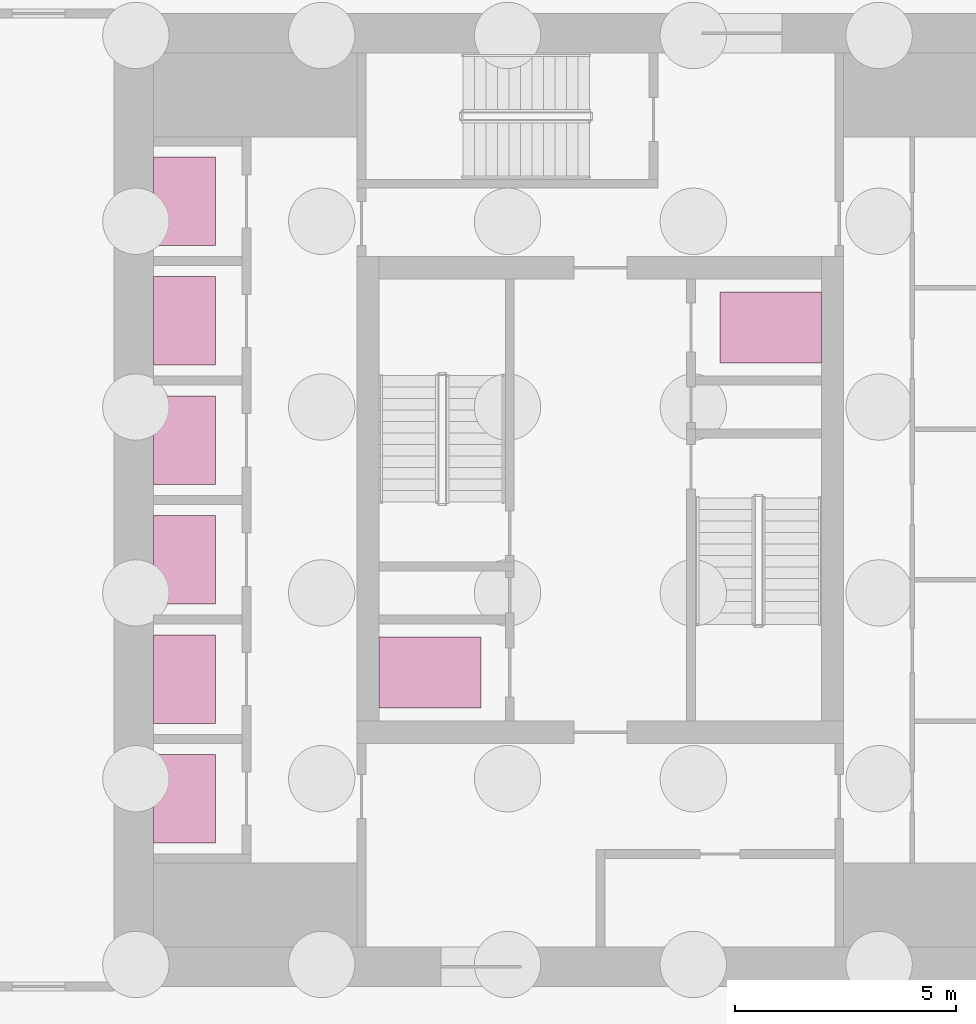
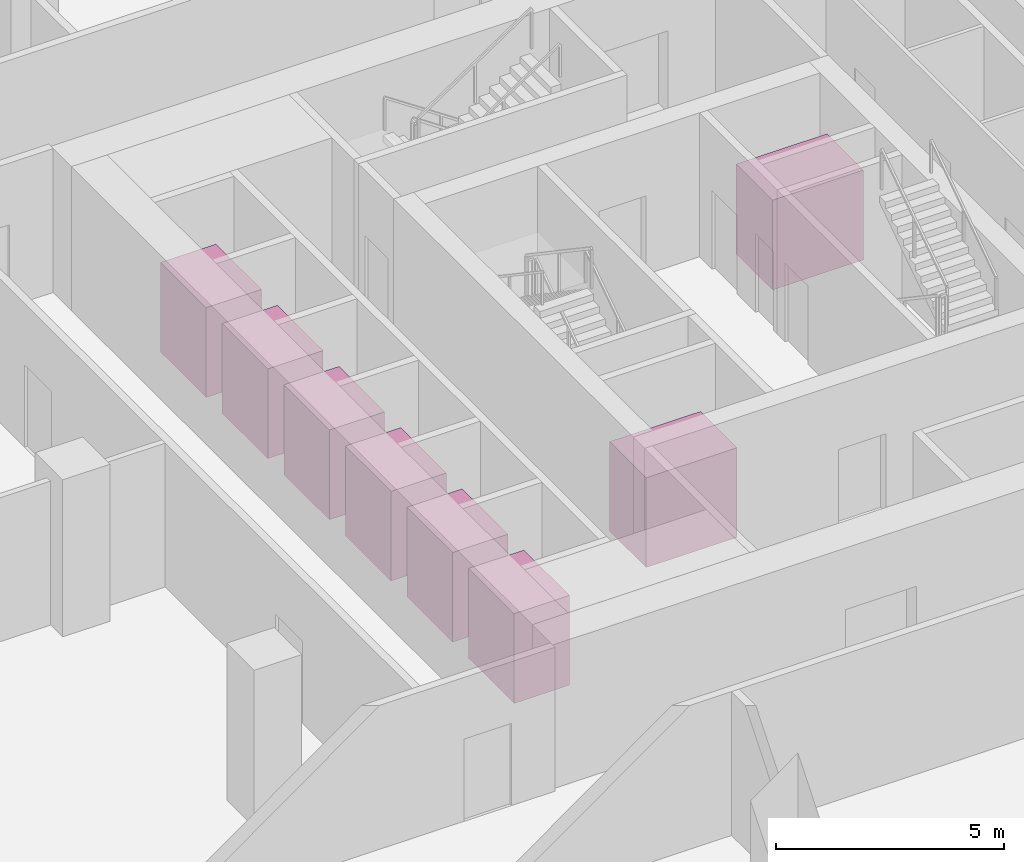
# One storey, part 19 of 19: 8 transport elements.
"""IFC4 building model written with IfcOpenShell, lengths in metres."""

from ifc_helpers import new_model, si_unit, direction, frame, origin, origin_2d, place, context, subcontext, project, spatial, rectangle, extrude, material, type_object, element, save


model = new_model("IFC4")

# Units and contexts
model_context = context("Model", 3, precision=1e-05, world=origin(), true_north=direction((0.0, 1.0)))
body_context = subcontext(model_context, "Body", "Model", "MODEL_VIEW")
ifc_project = project(units=[si_unit("LENGTHUNIT", "METRE"), si_unit("AREAUNIT", "SQUARE_METRE"), si_unit("VOLUMEUNIT", "CUBIC_METRE"), si_unit("PLANEANGLEUNIT", "RADIAN"), si_unit("MASSUNIT", "GRAM", prefix="KILO")], contexts=[model_context])

# Site, building, storey
site_placement = place(None, origin())
site = spatial("IfcSite", under=ifc_project, at=site_placement, CompositionType="ELEMENT")
building_placement = place(site_placement, origin())
building = spatial("IfcBuilding", under=site, at=building_placement, Name="Khepri Terraces", CompositionType="ELEMENT")
storey_placement = place(building_placement, frame((0.0, 0.0, -8.39990234375)))
storey = spatial("IfcBuildingStorey", under=building, at=storey_placement, Name="B2", CompositionType="ELEMENT", Elevation=-8.39990234375)

# Transport elements
ifc_material = material(Name="Stainless steel 304", Category="steel")
transport_element_type_1 = type_object("IfcTransportElementType", Name="LIFT-CAR-FIREFIGHTING", PredefinedType="ELEVATOR", material=ifc_material)
for number, where, z_axis, x_axis, name in (
    (1, (3.85009765625, 3.89990234375, 0.0), (0.0, 0.0, 1.0), (1.0, 0.0, 0.0), "Firefighting lift FF1 car"),
    (2, (-3.85009765625, -3.89990234375, 0.0), (0.0, 0.0, 1.0), (1.0, 0.0, 0.0), "Firefighting lift FF2 car"),
):
    element("IfcTransportElement", number, at=place(storey_placement, frame(where, z_axis=z_axis, x_axis=x_axis)), inside=storey, type_object=transport_element_type_1, Name=name, PredefinedType="ELEVATOR", context=body_context, shape_type="SweptSolid", body=[
        extrude(rectangle(XDim=2.300048828125, YDim=1.60009765625, at=origin_2d()), origin(), (0.0, 0.0, 1.0), 2.39990234375),
    ])
transport_element_type_2 = type_object("IfcTransportElementType", Name="LIFT-CAR-LOW-RISE", PredefinedType="ELEVATOR", material=ifc_material)
for number, where, z_axis, x_axis, name in (
    (3, (-9.39990234375, -6.75, 0.0), (0.0, 0.0, 1.0), (1.0, 0.0, 0.0), "Low-rise lift LR1 car"),
    (4, (-9.39990234375, -4.050048828125, 0.0), (0.0, 0.0, 1.0), (1.0, 0.0, 0.0), "Low-rise lift LR2 car"),
    (5, (-9.39990234375, -1.35009765625, 0.0), (0.0, 0.0, 1.0), (1.0, 0.0, 0.0), "Low-rise lift LR3 car"),
    (6, (-9.39990234375, 1.35009765625, 0.0), (0.0, 0.0, 1.0), (1.0, 0.0, 0.0), "Low-rise lift LR4 car"),
    (7, (-9.39990234375, 4.050048828125, 0.0), (0.0, 0.0, 1.0), (1.0, 0.0, 0.0), "Low-rise lift LR5 car"),
    (8, (-9.39990234375, 6.75, 0.0), (0.0, 0.0, 1.0), (1.0, 0.0, 0.0), "Low-rise lift LR6 car"),
):
    element("IfcTransportElement", number, at=place(storey_placement, frame(where, z_axis=z_axis, x_axis=x_axis)), inside=storey, type_object=transport_element_type_2, Name=name, PredefinedType="ELEVATOR", context=body_context, shape_type="SweptSolid", body=[
        extrude(rectangle(XDim=1.39990234375, YDim=2.0, at=origin_2d()), origin(), (0.0, 0.0, 1.0), 2.39990234375),
    ])

save(model, "model.ifc")
